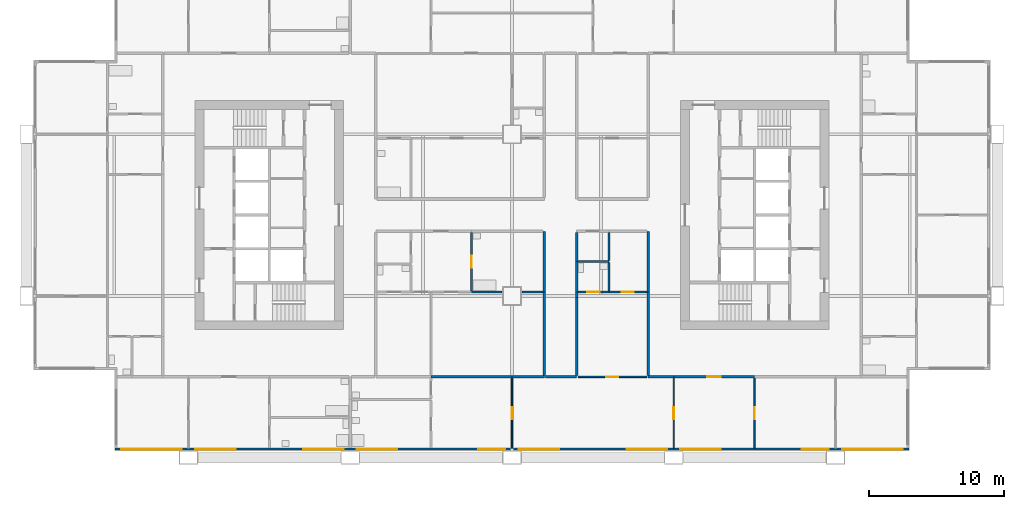
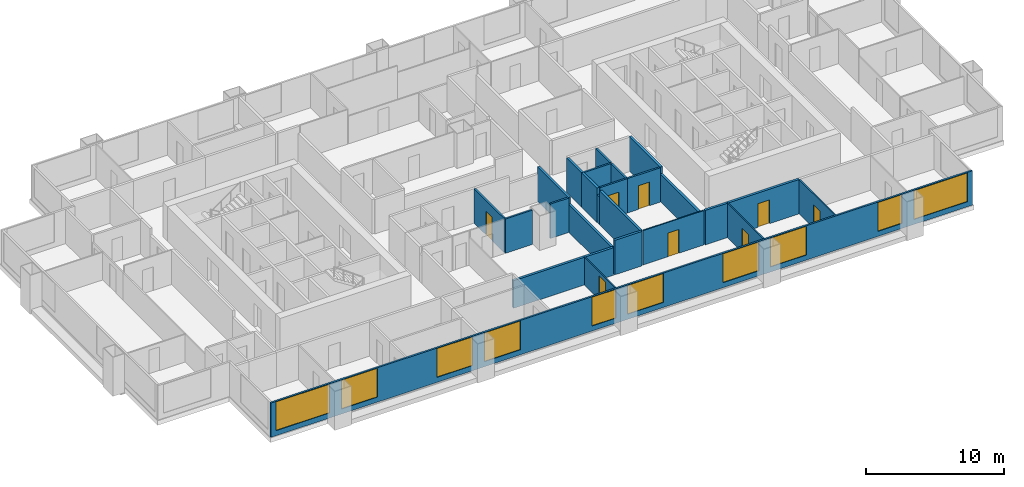
# One storey, part 5 of 11: 26 walls, 10 windows, 8 doors, 18 openings.
"""IFC4 building model written with IfcOpenShell, lengths in metres."""

from ifc_helpers import new_model, si_unit, direction, frame, frame_2d, origin, place, context, subcontext, project, spatial, rectangle, extrude, material, layer, layer_set, type_object, element, fill, save


model = new_model("IFC4")

# Units and contexts
model_context = context("Model", 3, precision=1e-05, world=origin(), true_north=direction((0.0, 1.0)))
body_context = subcontext(model_context, "Body", "Model", "MODEL_VIEW")
ifc_project = project(units=[si_unit("LENGTHUNIT", "METRE"), si_unit("AREAUNIT", "SQUARE_METRE"), si_unit("VOLUMEUNIT", "CUBIC_METRE"), si_unit("PLANEANGLEUNIT", "RADIAN"), si_unit("MASSUNIT", "GRAM", prefix="KILO")], contexts=[model_context])

# Site, building, storey
site_placement = place(None, origin())
site = spatial("IfcSite", under=ifc_project, at=site_placement, CompositionType="ELEMENT")
building_placement = place(site_placement, origin())
building = spatial("IfcBuilding", under=site, at=building_placement, Name="Kitamizu Gate Tower and Museum", CompositionType="ELEMENT")
storey_placement = place(building_placement, frame((0.0, 0.0, 138.0)))
storey = spatial("IfcBuildingStorey", under=building, at=storey_placement, Name="L36", CompositionType="ELEMENT", Elevation=138.0)

# Wall, opening, door
ifc_material_1 = material(Name="Gypsum board on galvanised stud")
ifc_layer_1 = layer(ifc_material_1, 0.10009765625)
ifc_layer_set_1 = layer_set([ifc_layer_1], Name="Gypsum board on galvanised stud")
wall_type_1 = type_object("IfcWallType", Name="Partition 100 NOT RATED", PredefinedType="PARTITIONING", material=ifc_layer_set_1)
wall_1_placement = place(storey_placement, frame((36.0, 12.719970703125, 0.0), z_axis=(0.0, 0.0, 1.0), x_axis=(0.0, 1.0, 0.0)))
wall_1 = element("IfcWall", 1, at=wall_1_placement, inside=storey, type_object=wall_type_1, Name="Partition L36-060", PredefinedType="PARTITIONING", context=body_context, shape_type="SweptSolid", body=[
    extrude(rectangle(XDim=5.179931640625, YDim=0.10009765625, at=frame_2d((2.58984375, 0.0))), origin(), (0.0, 0.0, 1.0), 2.449951171875),
])
opening_1_placement = place(wall_1_placement, frame((2.139892578125, 0.0, 0.0)))
opening_1 = element("IfcOpeningElement", 2, at=opening_1_placement, cuts=wall_1, Name="Opening L36-021", PredefinedType="OPENING", context=body_context, shape_type="SweptSolid", body=[
    extrude(rectangle(XDim=0.89990234375, YDim=2.10009765625, at=frame_2d((0.449951171875, 1.050048828125))), frame((0.0, 0.06005859375, 0.0), z_axis=(0.0, -1.0, 0.0), x_axis=(1.0, 0.0, 0.0)), (0.0, 0.0, 1.0), 0.1201171875),
])
ifc_material_2 = material(Name="Timber door set", Category="wood")
door_type_1 = type_object("IfcDoorType", Name="Room door 900", OperationType="NOTDEFINED", PredefinedType="DOOR", material=ifc_material_2)
door_1_placement = place(opening_1_placement, origin())
door_1 = element("IfcDoor", 3, at=door_1_placement, inside=storey, type_object=door_type_1, Name="Door L36-021", OperationType="SINGLE_SWING_LEFT", OverallHeight=2.10009765625, OverallWidth=0.89990234375, PredefinedType="DOOR", context=body_context, shape_type="SweptSolid", body=[
    extrude(rectangle(XDim=0.89990234375, YDim=2.10009765625, at=frame_2d((0.449951171875, 1.050048828125))), frame((0.0, 0.02490234375, 0.0), z_axis=(0.0, -1.0, 0.0), x_axis=(1.0, 0.0, 0.0)), (0.0, 0.0, 1.0), 0.050048828125),
])
fill(opening_1, door_1)

wall_2_placement = place(storey_placement, frame((48.0, 12.719970703125, 0.0), z_axis=(0.0, 0.0, 1.0), x_axis=(0.0, 1.0, 0.0)))
wall_2 = element("IfcWall", 4, at=wall_2_placement, inside=storey, type_object=wall_type_1, Name="Partition L36-061", PredefinedType="PARTITIONING", context=body_context, shape_type="SweptSolid", body=[
    extrude(rectangle(XDim=5.179931640625, YDim=0.10009765625, at=frame_2d((2.58984375, 0.0))), origin(), (0.0, 0.0, 1.0), 3.050048828125),
])
opening_2_placement = place(wall_2_placement, frame((2.139892578125, 0.0, 0.0)))
opening_2 = element("IfcOpeningElement", 5, at=opening_2_placement, cuts=wall_2, Name="Opening L36-020", PredefinedType="OPENING", context=body_context, shape_type="SweptSolid", body=[
    extrude(rectangle(XDim=0.89990234375, YDim=2.10009765625, at=frame_2d((0.449951171875, 1.050048828125))), frame((0.0, 0.06005859375, 0.0), z_axis=(0.0, -1.0, 0.0), x_axis=(1.0, 0.0, 0.0)), (0.0, 0.0, 1.0), 0.1201171875),
])
door_2_placement = place(opening_2_placement, origin())
door_2 = element("IfcDoor", 6, at=door_2_placement, inside=storey, type_object=door_type_1, Name="Door L36-020", OperationType="SINGLE_SWING_RIGHT", OverallHeight=2.10009765625, OverallWidth=0.89990234375, PredefinedType="DOOR", context=body_context, shape_type="SweptSolid", body=[
    extrude(rectangle(XDim=0.89990234375, YDim=2.10009765625, at=frame_2d((0.449951171875, 1.050048828125))), frame((0.0, 0.02490234375, 0.0), z_axis=(0.0, -1.0, 0.0), x_axis=(1.0, 0.0, 0.0)), (0.0, 0.0, 1.0), 0.050048828125),
])
fill(opening_2, door_2)

wall_3_placement = place(storey_placement, frame((46.0, 18.0, 0.0), z_axis=(0.0, 0.0, 1.0), x_axis=(-1.0, 0.0, 0.0)))
wall_3 = element("IfcWall", 7, at=wall_3_placement, inside=storey, type_object=wall_type_1, Name="Partition L36-062", PredefinedType="PARTITIONING", context=body_context, shape_type="SweptSolid", body=[
    extrude(rectangle(XDim=5.10009765625, YDim=0.10009765625, at=frame_2d((2.550048828125, 0.0))), origin(), (0.0, 0.0, 1.0), 3.050048828125),
])
opening_3_placement = place(wall_3_placement, frame((2.10009765625, 0.0, 0.0)))
opening_3 = element("IfcOpeningElement", 8, at=opening_3_placement, cuts=wall_3, Name="Opening L36-025", PredefinedType="OPENING", context=body_context, shape_type="SweptSolid", body=[
    extrude(rectangle(XDim=0.89990234375, YDim=2.10009765625, at=frame_2d((0.449951171875, 1.050048828125))), frame((0.0, 0.06005859375, 0.0), z_axis=(0.0, -1.0, 0.0), x_axis=(1.0, 0.0, 0.0)), (0.0, 0.0, 1.0), 0.1201171875),
])
door_3_placement = place(opening_3_placement, frame((0.89990234375, 0.0, 0.0), x_axis=(-1.0, 0.0, 0.0)))
door_3 = element("IfcDoor", 9, at=door_3_placement, inside=storey, type_object=door_type_1, Name="Door L36-025", OperationType="SINGLE_SWING_RIGHT", OverallHeight=2.10009765625, OverallWidth=0.89990234375, PredefinedType="DOOR", context=body_context, shape_type="SweptSolid", body=[
    extrude(rectangle(XDim=0.89990234375, YDim=2.10009765625, at=frame_2d((0.449951171875, 1.050048828125))), frame((0.0, 0.02490234375, 0.0), z_axis=(0.0, -1.0, 0.0), x_axis=(1.0, 0.0, 0.0)), (0.0, 0.0, 1.0), 0.050048828125),
])
fill(opening_3, door_3)

wall_4_placement = place(storey_placement, frame((54.0, 12.719970703125, 0.0), z_axis=(0.0, 0.0, 1.0), x_axis=(0.0, 1.0, 0.0)))
wall_4 = element("IfcWall", 10, at=wall_4_placement, inside=storey, type_object=wall_type_1, Name="Partition L36-065", PredefinedType="PARTITIONING", context=body_context, shape_type="SweptSolid", body=[
    extrude(rectangle(XDim=5.179931640625, YDim=0.10009765625, at=frame_2d((2.58984375, 0.0))), origin(), (0.0, 0.0, 1.0), 3.050048828125),
])
opening_4_placement = place(wall_4_placement, frame((2.139892578125, 0.0, 0.0)))
opening_4 = element("IfcOpeningElement", 11, at=opening_4_placement, cuts=wall_4, Name="Opening L36-024", PredefinedType="OPENING", context=body_context, shape_type="SweptSolid", body=[
    extrude(rectangle(XDim=0.89990234375, YDim=2.10009765625, at=frame_2d((0.449951171875, 1.050048828125))), frame((0.0, 0.06005859375, 0.0), z_axis=(0.0, -1.0, 0.0), x_axis=(1.0, 0.0, 0.0)), (0.0, 0.0, 1.0), 0.1201171875),
])
door_4_placement = place(opening_4_placement, frame((0.89990234375, 0.0, 0.0), x_axis=(-1.0, 0.0, 0.0)))
door_4 = element("IfcDoor", 12, at=door_4_placement, inside=storey, type_object=door_type_1, Name="Door L36-024", OperationType="SINGLE_SWING_LEFT", OverallHeight=2.10009765625, OverallWidth=0.89990234375, PredefinedType="DOOR", context=body_context, shape_type="SweptSolid", body=[
    extrude(rectangle(XDim=0.89990234375, YDim=2.10009765625, at=frame_2d((0.449951171875, 1.050048828125))), frame((0.0, 0.02490234375, 0.0), z_axis=(0.0, -1.0, 0.0), x_axis=(1.0, 0.0, 0.0)), (0.0, 0.0, 1.0), 0.050048828125),
])
fill(opening_4, door_4)

# Walls
ifc_material_3 = material(Name="Gypsum board on galvanised stud")
ifc_layer_2 = layer(ifc_material_3, 0.14990234375)
ifc_layer_set_2 = layer_set([ifc_layer_2], Name="Gypsum board on galvanised stud")
wall_type_2 = type_object("IfcWallType", Name="Partition 150", PredefinedType="PARTITIONING", material=ifc_layer_set_2)
wall_5_placement = place(storey_placement, frame((35.25, 24.300048828125, 0.0), z_axis=(0.0, 0.0, 1.0), x_axis=(-1.0, 0.0, 0.0)))
element("IfcWall", 13, at=wall_5_placement, inside=storey, type_object=wall_type_2, Name="Partition L36-040", PredefinedType="PARTITIONING", context=body_context, shape_type="SweptSolid", body=[
    extrude(rectangle(XDim=2.25, YDim=0.14990234375, at=frame_2d((1.125, 0.0))), origin(), (0.0, 0.0, 1.0), 3.050048828125),
])
wall_6_placement = place(storey_placement, frame((38.300048828125, 24.300048828125, 0.0), z_axis=(0.0, 0.0, 1.0), x_axis=(-1.0, 0.0, 0.0)))
element("IfcWall", 14, at=wall_6_placement, inside=storey, type_object=wall_type_2, Name="Partition L36-041", PredefinedType="PARTITIONING", context=body_context, shape_type="SweptSolid", body=[
    extrude(rectangle(XDim=1.550048828125, YDim=0.14990234375, at=frame_2d((0.77490234375, 0.0))), origin(), (0.0, 0.0, 1.0), 3.050048828125),
])

# Wall, opening, door
wall_7_placement = place(storey_placement, frame((33.0, 24.375, 0.0), z_axis=(0.0, 0.0, 1.0), x_axis=(0.0, 1.0, 0.0)))
wall_7 = element("IfcWall", 15, at=wall_7_placement, inside=storey, type_object=wall_type_2, Name="Partition L36-051", PredefinedType="PARTITIONING", context=body_context, shape_type="SweptSolid", body=[
    extrude(rectangle(XDim=4.324951171875, YDim=0.14990234375, at=frame_2d((2.16259765625, 0.0))), origin(), (0.0, 0.0, 1.0), 3.050048828125),
])
opening_5_placement = place(wall_7_placement, frame((1.71240234375, 0.0, 0.0)))
opening_5 = element("IfcOpeningElement", 16, at=opening_5_placement, cuts=wall_7, Name="Opening L36-018", PredefinedType="OPENING", context=body_context, shape_type="SweptSolid", body=[
    extrude(rectangle(XDim=0.89990234375, YDim=2.10009765625, at=frame_2d((0.449951171875, 1.050048828125))), frame((0.0, 0.0849609375, 0.0), z_axis=(0.0, -1.0, 0.0), x_axis=(1.0, 0.0, 0.0)), (0.0, 0.0, 1.0), 0.169921875),
])
ifc_material_4 = material(Name="Timber door set", Category="wood")
door_type_2 = type_object("IfcDoorType", Name="Bathroom door 900", OperationType="NOTDEFINED", PredefinedType="DOOR", material=ifc_material_4)
door_5_placement = place(opening_5_placement, frame((0.89990234375, 0.0, 0.0), x_axis=(-1.0, 0.0, 0.0)))
door_5 = element("IfcDoor", 17, at=door_5_placement, inside=storey, type_object=door_type_2, Name="Bathroom door L36-018", OperationType="SINGLE_SWING_LEFT", OverallHeight=2.10009765625, OverallWidth=0.89990234375, PredefinedType="DOOR", context=body_context, shape_type="SweptSolid", body=[
    extrude(rectangle(XDim=0.89990234375, YDim=2.10009765625, at=frame_2d((0.449951171875, 1.050048828125))), frame((0.0, 0.02490234375, 0.0), z_axis=(0.0, -1.0, 0.0), x_axis=(1.0, 0.0, 0.0)), (0.0, 0.0, 1.0), 0.050048828125),
])
fill(opening_5, door_5)

wall_8_placement = place(storey_placement, frame((43.199951171875, 24.300048828125, 0.0), z_axis=(0.0, 0.0, 1.0), x_axis=(-1.0, 0.0, 0.0)))
wall_8 = element("IfcWall", 18, at=wall_8_placement, inside=storey, type_object=wall_type_2, Name="Partition L36-071", PredefinedType="PARTITIONING", context=body_context, shape_type="SweptSolid", body=[
    extrude(rectangle(XDim=2.300048828125, YDim=0.14990234375, at=frame_2d((1.14990234375, 0.0))), origin(), (0.0, 0.0, 1.0), 3.050048828125),
])
opening_6_placement = place(wall_8_placement, frame((0.699951171875, 0.0, 0.0)))
opening_6 = element("IfcOpeningElement", 19, at=opening_6_placement, cuts=wall_8, Name="Opening L36-027", PredefinedType="OPENING", context=body_context, shape_type="SweptSolid", body=[
    extrude(rectangle(XDim=0.89990234375, YDim=2.10009765625, at=frame_2d((0.449951171875, 1.050048828125))), frame((0.0, 0.0849609375, 0.0), z_axis=(0.0, -1.0, 0.0), x_axis=(1.0, 0.0, 0.0)), (0.0, 0.0, 1.0), 0.169921875),
])
door_6_placement = place(opening_6_placement, frame((0.89990234375, 0.0, 0.0), x_axis=(-1.0, 0.0, 0.0)))
door_6 = element("IfcDoor", 20, at=door_6_placement, inside=storey, type_object=door_type_2, Name="Bathroom door L36-027", OperationType="SINGLE_SWING_RIGHT", OverallHeight=2.10009765625, OverallWidth=0.89990234375, PredefinedType="DOOR", context=body_context, shape_type="SweptSolid", body=[
    extrude(rectangle(XDim=0.89990234375, YDim=2.10009765625, at=frame_2d((0.449951171875, 1.050048828125))), frame((0.0, 0.02490234375, 0.0), z_axis=(0.0, -1.0, 0.0), x_axis=(1.0, 0.0, 0.0)), (0.0, 0.0, 1.0), 0.050048828125),
])
fill(opening_6, door_6)

wall_9_placement = place(storey_placement, frame((46.0, 24.300048828125, 0.0), z_axis=(0.0, 0.0, 1.0), x_axis=(-1.0, 0.0, 0.0)))
wall_9 = element("IfcWall", 21, at=wall_9_placement, inside=storey, type_object=wall_type_2, Name="Partition L36-072", PredefinedType="PARTITIONING", context=body_context, shape_type="SweptSolid", body=[
    extrude(rectangle(XDim=2.800048828125, YDim=0.14990234375, at=frame_2d((1.39990234375, 0.0))), origin(), (0.0, 0.0, 1.0), 3.050048828125),
])
opening_7_placement = place(wall_9_placement, frame((0.949951171875, 0.0, 0.0)))
opening_7 = element("IfcOpeningElement", 22, at=opening_7_placement, cuts=wall_9, Name="Opening L36-028", PredefinedType="OPENING", context=body_context, shape_type="SweptSolid", body=[
    extrude(rectangle(XDim=0.89990234375, YDim=2.10009765625, at=frame_2d((0.449951171875, 1.050048828125))), frame((0.0, 0.0849609375, 0.0), z_axis=(0.0, -1.0, 0.0), x_axis=(1.0, 0.0, 0.0)), (0.0, 0.0, 1.0), 0.169921875),
])
door_7_placement = place(opening_7_placement, frame((0.89990234375, 0.0, 0.0), x_axis=(-1.0, 0.0, 0.0)))
door_7 = element("IfcDoor", 23, at=door_7_placement, inside=storey, type_object=door_type_2, Name="Bathroom door L36-028", OperationType="SINGLE_SWING_LEFT", OverallHeight=2.10009765625, OverallWidth=0.89990234375, PredefinedType="DOOR", context=body_context, shape_type="SweptSolid", body=[
    extrude(rectangle(XDim=0.89990234375, YDim=2.10009765625, at=frame_2d((0.449951171875, 1.050048828125))), frame((0.0, 0.02490234375, 0.0), z_axis=(0.0, -1.0, 0.0), x_axis=(1.0, 0.0, 0.0)), (0.0, 0.0, 1.0), 0.050048828125),
])
fill(opening_7, door_7)

# Walls
wall_10_placement = place(storey_placement, frame((43.199951171875, 26.550048828125, 0.0), z_axis=(0.0, 0.0, 1.0), x_axis=(-1.0, 0.0, 0.0)))
element("IfcWall", 24, at=wall_10_placement, inside=storey, type_object=wall_type_2, Name="Partition L36-076", PredefinedType="PARTITIONING", context=body_context, shape_type="SweptSolid", body=[
    extrude(rectangle(XDim=2.300048828125, YDim=0.14990234375, at=frame_2d((1.14990234375, 0.0))), origin(), (0.0, 0.0, 1.0), 3.050048828125),
])
wall_11_placement = place(storey_placement, frame((43.199951171875, 24.375, 0.0), z_axis=(0.0, 0.0, 1.0), x_axis=(0.0, 1.0, 0.0)))
element("IfcWall", 25, at=wall_11_placement, inside=storey, type_object=wall_type_2, Name="Partition L36-077", PredefinedType="PARTITIONING", context=body_context, shape_type="SweptSolid", body=[
    extrude(rectangle(XDim=2.10009765625, YDim=0.14990234375, at=frame_2d((1.050048828125, 0.0))), origin(), (0.0, 0.0, 1.0), 3.050048828125),
])
wall_12_placement = place(storey_placement, frame((43.199951171875, 26.625, 0.0), z_axis=(0.0, 0.0, 1.0), x_axis=(0.0, 1.0, 0.0)))
element("IfcWall", 26, at=wall_12_placement, inside=storey, type_object=wall_type_2, Name="Partition L36-079", PredefinedType="PARTITIONING", context=body_context, shape_type="SweptSolid", body=[
    extrude(rectangle(XDim=2.074951171875, YDim=0.14990234375, at=frame_2d((1.03759765625, 0.0))), origin(), (0.0, 0.0, 1.0), 3.050048828125),
])
ifc_material_5 = material(Name="Gypsum board on galvanised stud")
ifc_layer_3 = layer(ifc_material_5, 0.199951171875)
ifc_layer_set_3 = layer_set([ifc_layer_3], Name="Gypsum board on galvanised stud")
wall_type_3 = type_object("IfcWallType", Name="Partition 200", PredefinedType="PARTITIONING", material=ifc_layer_set_3)
wall_13_placement = place(storey_placement, frame((30.0, 18.0, 0.0), z_axis=(0.0, 0.0, 1.0), x_axis=(1.0, 0.0, 0.0)))
element("IfcWall", 27, at=wall_13_placement, inside=storey, type_object=wall_type_3, Name="Partition L36-042", PredefinedType="PARTITIONING", context=body_context, shape_type="SweptSolid", body=[
    extrude(rectangle(XDim=6.0, YDim=0.199951171875, at=frame_2d((3.0, 0.0))), origin(), (0.0, 0.0, 1.0), 2.449951171875),
])
wall_14_placement = place(storey_placement, frame((36.0, 18.0, 0.0), z_axis=(0.0, 0.0, 1.0), x_axis=(1.0, 0.0, 0.0)))
element("IfcWall", 28, at=wall_14_placement, inside=storey, type_object=wall_type_3, Name="Partition L36-043", PredefinedType="PARTITIONING", context=body_context, shape_type="SweptSolid", body=[
    extrude(rectangle(XDim=2.39990234375, YDim=0.199951171875, at=frame_2d((1.199951171875, 0.0))), origin(), (0.0, 0.0, 1.0), 2.449951171875),
])
wall_15_placement = place(storey_placement, frame((38.39990234375, 18.10009765625, 0.0), z_axis=(0.0, 0.0, 1.0), x_axis=(0.0, 1.0, 0.0)))
element("IfcWall", 29, at=wall_15_placement, inside=storey, type_object=wall_type_3, Name="Partition L36-044", PredefinedType="PARTITIONING", context=body_context, shape_type="SweptSolid", body=[
    extrude(rectangle(XDim=6.199951171875, YDim=0.199951171875, at=frame_2d((3.10009765625, 0.0))), origin(), (0.0, 0.0, 1.0), 2.449951171875),
])
wall_16_placement = place(storey_placement, frame((38.39990234375, 24.300048828125, 0.0), z_axis=(0.0, 0.0, 1.0), x_axis=(0.0, 1.0, 0.0)))
element("IfcWall", 30, at=wall_16_placement, inside=storey, type_object=wall_type_3, Name="Partition L36-053", PredefinedType="PARTITIONING", context=body_context, shape_type="SweptSolid", body=[
    extrude(rectangle(XDim=4.5, YDim=0.199951171875, at=frame_2d((2.25, 0.0))), origin(), (0.0, 0.0, 1.0), 3.050048828125),
])
wall_17_placement = place(storey_placement, frame((40.800048828125, 18.0, 0.0), z_axis=(0.0, 0.0, 1.0), x_axis=(-1.0, 0.0, 0.0)))
element("IfcWall", 31, at=wall_17_placement, inside=storey, type_object=wall_type_3, Name="Partition L36-063", PredefinedType="PARTITIONING", context=body_context, shape_type="SweptSolid", body=[
    extrude(rectangle(XDim=2.300048828125, YDim=0.199951171875, at=frame_2d((1.14990234375, 0.0))), origin(), (0.0, 0.0, 1.0), 3.050048828125),
])
wall_18_placement = place(storey_placement, frame((48.0, 18.0, 0.0), z_axis=(0.0, 0.0, 1.0), x_axis=(-1.0, 0.0, 0.0)))
element("IfcWall", 32, at=wall_18_placement, inside=storey, type_object=wall_type_3, Name="Partition L36-064", PredefinedType="PARTITIONING", context=body_context, shape_type="SweptSolid", body=[
    extrude(rectangle(XDim=1.89990234375, YDim=0.199951171875, at=frame_2d((0.949951171875, 0.0))), origin(), (0.0, 0.0, 1.0), 3.050048828125),
])

# Wall, opening, door
wall_19_placement = place(storey_placement, frame((54.0, 18.0, 0.0), z_axis=(0.0, 0.0, 1.0), x_axis=(-1.0, 0.0, 0.0)))
wall_19 = element("IfcWall", 33, at=wall_19_placement, inside=storey, type_object=wall_type_3, Name="Partition L36-066", PredefinedType="PARTITIONING", context=body_context, shape_type="SweptSolid", body=[
    extrude(rectangle(XDim=6.0, YDim=0.199951171875, at=frame_2d((3.0, 0.0))), origin(), (0.0, 0.0, 1.0), 3.050048828125),
])
opening_8_placement = place(wall_19_placement, frame((2.5, 0.0, 0.0)))
opening_8 = element("IfcOpeningElement", 34, at=opening_8_placement, cuts=wall_19, Name="Opening L36-019", PredefinedType="OPENING", context=body_context, shape_type="SweptSolid", body=[
    extrude(rectangle(XDim=1.0, YDim=2.10009765625, at=frame_2d((0.5, 1.050048828125))), frame((0.0, 0.10986328125, 0.0), z_axis=(0.0, -1.0, 0.0), x_axis=(1.0, 0.0, 0.0)), (0.0, 0.0, 1.0), 0.219970703125),
])
ifc_material_6 = material(Name="Timber door set", Category="wood")
door_type_3 = type_object("IfcDoorType", Name="Flat entrance door 1000", OperationType="NOTDEFINED", PredefinedType="DOOR", material=ifc_material_6)
door_8_placement = place(opening_8_placement, origin())
door_8 = element("IfcDoor", 35, at=door_8_placement, inside=storey, type_object=door_type_3, Name="Flat entrance door L36-019", OperationType="SINGLE_SWING_LEFT", OverallHeight=2.10009765625, OverallWidth=1.0, PredefinedType="DOOR", context=body_context, shape_type="SweptSolid", body=[
    extrude(rectangle(XDim=1.0, YDim=2.10009765625, at=frame_2d((0.5, 1.050048828125))), frame((0.0, 0.02490234375, 0.0), z_axis=(0.0, -1.0, 0.0), x_axis=(1.0, 0.0, 0.0)), (0.0, 0.0, 1.0), 0.050048828125),
])
fill(opening_8, door_8)

# Walls
wall_20_placement = place(storey_placement, frame((40.800048828125, 24.300048828125, 0.0), z_axis=(0.0, 0.0, 1.0), x_axis=(0.0, -1.0, 0.0)))
element("IfcWall", 36, at=wall_20_placement, inside=storey, type_object=wall_type_3, Name="Partition L36-073", PredefinedType="PARTITIONING", context=body_context, shape_type="SweptSolid", body=[
    extrude(rectangle(XDim=0.400146484375, YDim=0.199951171875, at=frame_2d((0.2001953125, 0.0))), origin(), (0.0, 0.0, 1.0), 2.449951171875),
])
wall_21_placement = place(storey_placement, frame((40.800048828125, 23.89990234375, 0.0), z_axis=(0.0, 0.0, 1.0), x_axis=(0.0, -1.0, 0.0)))
element("IfcWall", 37, at=wall_21_placement, inside=storey, type_object=wall_type_3, Name="Partition L36-074", PredefinedType="PARTITIONING", context=body_context, shape_type="SweptSolid", body=[
    extrude(rectangle(XDim=5.7998046875, YDim=0.199951171875, at=frame_2d((2.89990234375, 0.0))), origin(), (0.0, 0.0, 1.0), 3.050048828125),
])
wall_22_placement = place(storey_placement, frame((46.10009765625, 18.10009765625, 0.0), z_axis=(0.0, 0.0, 1.0), x_axis=(0.0, 1.0, 0.0)))
element("IfcWall", 38, at=wall_22_placement, inside=storey, type_object=wall_type_3, Name="Partition L36-075", PredefinedType="PARTITIONING", context=body_context, shape_type="SweptSolid", body=[
    extrude(rectangle(XDim=6.199951171875, YDim=0.199951171875, at=frame_2d((3.10009765625, 0.0))), origin(), (0.0, 0.0, 1.0), 2.449951171875),
])
wall_23_placement = place(storey_placement, frame((40.800048828125, 26.550048828125, 0.0), z_axis=(0.0, 0.0, 1.0), x_axis=(0.0, -1.0, 0.0)))
element("IfcWall", 39, at=wall_23_placement, inside=storey, type_object=wall_type_3, Name="Partition L36-078", PredefinedType="PARTITIONING", context=body_context, shape_type="SweptSolid", body=[
    extrude(rectangle(XDim=2.25, YDim=0.199951171875, at=frame_2d((1.125, 0.0))), origin(), (0.0, 0.0, 1.0), 3.050048828125),
])
wall_24_placement = place(storey_placement, frame((40.800048828125, 28.699951171875, 0.0), z_axis=(0.0, 0.0, 1.0), x_axis=(0.0, -1.0, 0.0)))
element("IfcWall", 40, at=wall_24_placement, inside=storey, type_object=wall_type_3, Name="Partition L36-081", PredefinedType="PARTITIONING", context=body_context, shape_type="SweptSolid", body=[
    extrude(rectangle(XDim=2.14990234375, YDim=0.199951171875, at=frame_2d((1.074951171875, 0.0))), origin(), (0.0, 0.0, 1.0), 3.050048828125),
])
wall_25_placement = place(storey_placement, frame((46.10009765625, 24.300048828125, 0.0), z_axis=(0.0, 0.0, 1.0), x_axis=(0.0, 1.0, 0.0)))
element("IfcWall", 41, at=wall_25_placement, inside=storey, type_object=wall_type_3, Name="Partition L36-082", PredefinedType="PARTITIONING", context=body_context, shape_type="SweptSolid", body=[
    extrude(rectangle(XDim=4.5, YDim=0.199951171875, at=frame_2d((2.25, 0.0))), origin(), (0.0, 0.0, 1.0), 3.050048828125),
])

# Wall, openings, windows
ifc_material_7 = material(Name="Bronze anodised aluminium frame with insulated spandrel and tinted glass", Category="aluminium")
ifc_layer_4 = layer(ifc_material_7, 0.14990234375)
ifc_layer_set_4 = layer_set([ifc_layer_4], Name="Bronze anodised aluminium frame with insulated spandrel and tinted glass")
wall_type_4 = type_object("IfcWallType", Name="WINDOW WALL 150 BRONZE FRAME EI 30", PredefinedType="ELEMENTEDWALL", material=ifc_layer_set_4)
wall_26_placement = place(storey_placement, frame((6.56005859375, 12.635009765625, 0.0), z_axis=(0.0, 0.0, 1.0), x_axis=(1.0, 0.0, 0.0)))
wall_26 = element("IfcWall", 42, at=wall_26_placement, inside=storey, type_object=wall_type_4, Name="Window wall south L36", PredefinedType="ELEMENTEDWALL", context=body_context, shape_type="SweptSolid", body=[
    extrude(rectangle(XDim=58.8798828125, YDim=0.14990234375, at=frame_2d((29.43994140625, 0.0))), origin(), (0.0, 0.0, 1.0), 3.050048828125),
])
opening_9_placement = place(wall_26_placement, frame((0.43994140625, 0.0, 0.449951171875)))
opening_9 = element("IfcOpeningElement", 43, at=opening_9_placement, cuts=wall_26, Name="Opening W15", PredefinedType="OPENING", context=body_context, shape_type="SweptSolid", body=[
    extrude(rectangle(XDim=4.5, YDim=2.550048828125, at=frame_2d((2.25, 1.27490234375))), frame((0.0, 0.0849609375, 0.0), z_axis=(0.0, -1.0, 0.0), x_axis=(1.0, 0.0, 0.0)), (0.0, 0.0, 1.0), 0.169921875),
])
opening_10_placement = place(wall_26_placement, frame((5.93994140625, 0.0, 0.449951171875)))
opening_10 = element("IfcOpeningElement", 44, at=opening_10_placement, cuts=wall_26, Name="Opening W33", PredefinedType="OPENING", context=body_context, shape_type="SweptSolid", body=[
    extrude(rectangle(XDim=3.0, YDim=2.550048828125, at=frame_2d((1.5, 1.27490234375))), frame((0.0, 0.0849609375, 0.0), z_axis=(0.0, -1.0, 0.0), x_axis=(1.0, 0.0, 0.0)), (0.0, 0.0, 1.0), 0.169921875),
])
opening_11_placement = place(wall_26_placement, frame((13.93994140625, 0.0, 0.449951171875)))
opening_11 = element("IfcOpeningElement", 45, at=opening_11_placement, cuts=wall_26, Name="Opening W33", PredefinedType="OPENING", context=body_context, shape_type="SweptSolid", body=[
    extrude(rectangle(XDim=3.0, YDim=2.550048828125, at=frame_2d((1.5, 1.27490234375))), frame((0.0, 0.0849609375, 0.0), z_axis=(0.0, -1.0, 0.0), x_axis=(1.0, 0.0, 0.0)), (0.0, 0.0, 1.0), 0.169921875),
])
opening_12_placement = place(wall_26_placement, frame((17.93994140625, 0.0, 0.449951171875)))
opening_12 = element("IfcOpeningElement", 46, at=opening_12_placement, cuts=wall_26, Name="Opening W33", PredefinedType="OPENING", context=body_context, shape_type="SweptSolid", body=[
    extrude(rectangle(XDim=3.0, YDim=2.550048828125, at=frame_2d((1.5, 1.27490234375))), frame((0.0, 0.0849609375, 0.0), z_axis=(0.0, -1.0, 0.0), x_axis=(1.0, 0.0, 0.0)), (0.0, 0.0, 1.0), 0.169921875),
])
opening_13_placement = place(wall_26_placement, frame((26.93994140625, 0.0, 0.449951171875)))
opening_13 = element("IfcOpeningElement", 47, at=opening_13_placement, cuts=wall_26, Name="Opening W2", PredefinedType="OPENING", context=body_context, shape_type="SweptSolid", body=[
    extrude(rectangle(XDim=2.0, YDim=2.550048828125, at=frame_2d((1.0, 1.27490234375))), frame((0.0, 0.0849609375, 0.0), z_axis=(0.0, -1.0, 0.0), x_axis=(1.0, 0.0, 0.0)), (0.0, 0.0, 1.0), 0.169921875),
])
opening_14_placement = place(wall_26_placement, frame((29.93994140625, 0.0, 0.449951171875)))
opening_14 = element("IfcOpeningElement", 48, at=opening_14_placement, cuts=wall_26, Name="Opening W33", PredefinedType="OPENING", context=body_context, shape_type="SweptSolid", body=[
    extrude(rectangle(XDim=3.0, YDim=2.550048828125, at=frame_2d((1.5, 1.27490234375))), frame((0.0, 0.0849609375, 0.0), z_axis=(0.0, -1.0, 0.0), x_axis=(1.0, 0.0, 0.0)), (0.0, 0.0, 1.0), 0.169921875),
])
opening_15_placement = place(wall_26_placement, frame((37.93994140625, 0.0, 0.449951171875)))
opening_15 = element("IfcOpeningElement", 49, at=opening_15_placement, cuts=wall_26, Name="Opening W33", PredefinedType="OPENING", context=body_context, shape_type="SweptSolid", body=[
    extrude(rectangle(XDim=3.0, YDim=2.550048828125, at=frame_2d((1.5, 1.27490234375))), frame((0.0, 0.0849609375, 0.0), z_axis=(0.0, -1.0, 0.0), x_axis=(1.0, 0.0, 0.0)), (0.0, 0.0, 1.0), 0.169921875),
])
opening_16_placement = place(wall_26_placement, frame((41.93994140625, 0.0, 0.449951171875)))
opening_16 = element("IfcOpeningElement", 50, at=opening_16_placement, cuts=wall_26, Name="Opening W33", PredefinedType="OPENING", context=body_context, shape_type="SweptSolid", body=[
    extrude(rectangle(XDim=3.0, YDim=2.550048828125, at=frame_2d((1.5, 1.27490234375))), frame((0.0, 0.0849609375, 0.0), z_axis=(0.0, -1.0, 0.0), x_axis=(1.0, 0.0, 0.0)), (0.0, 0.0, 1.0), 0.169921875),
])
opening_17_placement = place(wall_26_placement, frame((50.93994140625, 0.0, 0.449951171875)))
opening_17 = element("IfcOpeningElement", 51, at=opening_17_placement, cuts=wall_26, Name="Opening W2", PredefinedType="OPENING", context=body_context, shape_type="SweptSolid", body=[
    extrude(rectangle(XDim=2.0, YDim=2.550048828125, at=frame_2d((1.0, 1.27490234375))), frame((0.0, 0.0849609375, 0.0), z_axis=(0.0, -1.0, 0.0), x_axis=(1.0, 0.0, 0.0)), (0.0, 0.0, 1.0), 0.169921875),
])
opening_18_placement = place(wall_26_placement, frame((53.93994140625, 0.0, 0.449951171875)))
opening_18 = element("IfcOpeningElement", 52, at=opening_18_placement, cuts=wall_26, Name="Opening W15", PredefinedType="OPENING", context=body_context, shape_type="SweptSolid", body=[
    extrude(rectangle(XDim=4.5, YDim=2.550048828125, at=frame_2d((2.25, 1.27490234375))), frame((0.0, 0.0849609375, 0.0), z_axis=(0.0, -1.0, 0.0), x_axis=(1.0, 0.0, 0.0)), (0.0, 0.0, 1.0), 0.169921875),
])
ifc_material_8 = material(Name="Bronze anodised aluminium frame, tinted triple glazing", Category="aluminium")
window_type_1 = type_object("IfcWindowType", Name="WINDOW 2000 x 2550 SILL 450", PartitioningType="SINGLE_PANEL", PredefinedType="WINDOW", material=ifc_material_8)
window_1_placement = place(opening_13_placement, origin())
window_1 = element("IfcWindow", 53, at=window_1_placement, inside=storey, type_object=window_type_1, Name="Window W2 L36", OverallHeight=2.550048828125, OverallWidth=2.0, PartitioningType="SINGLE_PANEL", PredefinedType="WINDOW", context=body_context, shape_type="SweptSolid", body=[
    extrude(rectangle(XDim=2.0, YDim=2.550048828125, at=frame_2d((1.0, 1.27490234375))), frame((0.0, 0.030029296875, 0.0), z_axis=(0.0, -1.0, 0.0), x_axis=(1.0, 0.0, 0.0)), (0.0, 0.0, 1.0), 0.06005859375),
])
fill(opening_13, window_1)
window_2_placement = place(opening_17_placement, origin())
window_2 = element("IfcWindow", 54, at=window_2_placement, inside=storey, type_object=window_type_1, Name="Window W2 L36", OverallHeight=2.550048828125, OverallWidth=2.0, PartitioningType="SINGLE_PANEL", PredefinedType="WINDOW", context=body_context, shape_type="SweptSolid", body=[
    extrude(rectangle(XDim=2.0, YDim=2.550048828125, at=frame_2d((1.0, 1.27490234375))), frame((0.0, 0.030029296875, 0.0), z_axis=(0.0, -1.0, 0.0), x_axis=(1.0, 0.0, 0.0)), (0.0, 0.0, 1.0), 0.06005859375),
])
fill(opening_17, window_2)
ifc_material_9 = material(Name="Bronze anodised aluminium frame, tinted triple glazing", Category="aluminium")
window_type_2 = type_object("IfcWindowType", Name="WINDOW 3000 x 2550 SILL 450", PartitioningType="SINGLE_PANEL", PredefinedType="WINDOW", material=ifc_material_9)
window_3_placement = place(opening_10_placement, origin())
window_3 = element("IfcWindow", 55, at=window_3_placement, inside=storey, type_object=window_type_2, Name="Window W33 L36", OverallHeight=2.550048828125, OverallWidth=3.0, PartitioningType="SINGLE_PANEL", PredefinedType="WINDOW", context=body_context, shape_type="SweptSolid", body=[
    extrude(rectangle(XDim=3.0, YDim=2.550048828125, at=frame_2d((1.5, 1.27490234375))), frame((0.0, 0.030029296875, 0.0), z_axis=(0.0, -1.0, 0.0), x_axis=(1.0, 0.0, 0.0)), (0.0, 0.0, 1.0), 0.06005859375),
])
fill(opening_10, window_3)
window_4_placement = place(opening_11_placement, origin())
window_4 = element("IfcWindow", 56, at=window_4_placement, inside=storey, type_object=window_type_2, Name="Window W33 L36", OverallHeight=2.550048828125, OverallWidth=3.0, PartitioningType="SINGLE_PANEL", PredefinedType="WINDOW", context=body_context, shape_type="SweptSolid", body=[
    extrude(rectangle(XDim=3.0, YDim=2.550048828125, at=frame_2d((1.5, 1.27490234375))), frame((0.0, 0.030029296875, 0.0), z_axis=(0.0, -1.0, 0.0), x_axis=(1.0, 0.0, 0.0)), (0.0, 0.0, 1.0), 0.06005859375),
])
fill(opening_11, window_4)
window_5_placement = place(opening_12_placement, origin())
window_5 = element("IfcWindow", 57, at=window_5_placement, inside=storey, type_object=window_type_2, Name="Window W33 L36", OverallHeight=2.550048828125, OverallWidth=3.0, PartitioningType="SINGLE_PANEL", PredefinedType="WINDOW", context=body_context, shape_type="SweptSolid", body=[
    extrude(rectangle(XDim=3.0, YDim=2.550048828125, at=frame_2d((1.5, 1.27490234375))), frame((0.0, 0.030029296875, 0.0), z_axis=(0.0, -1.0, 0.0), x_axis=(1.0, 0.0, 0.0)), (0.0, 0.0, 1.0), 0.06005859375),
])
fill(opening_12, window_5)
window_6_placement = place(opening_14_placement, origin())
window_6 = element("IfcWindow", 58, at=window_6_placement, inside=storey, type_object=window_type_2, Name="Window W33 L36", OverallHeight=2.550048828125, OverallWidth=3.0, PartitioningType="SINGLE_PANEL", PredefinedType="WINDOW", context=body_context, shape_type="SweptSolid", body=[
    extrude(rectangle(XDim=3.0, YDim=2.550048828125, at=frame_2d((1.5, 1.27490234375))), frame((0.0, 0.030029296875, 0.0), z_axis=(0.0, -1.0, 0.0), x_axis=(1.0, 0.0, 0.0)), (0.0, 0.0, 1.0), 0.06005859375),
])
fill(opening_14, window_6)
window_7_placement = place(opening_15_placement, origin())
window_7 = element("IfcWindow", 59, at=window_7_placement, inside=storey, type_object=window_type_2, Name="Window W33 L36", OverallHeight=2.550048828125, OverallWidth=3.0, PartitioningType="SINGLE_PANEL", PredefinedType="WINDOW", context=body_context, shape_type="SweptSolid", body=[
    extrude(rectangle(XDim=3.0, YDim=2.550048828125, at=frame_2d((1.5, 1.27490234375))), frame((0.0, 0.030029296875, 0.0), z_axis=(0.0, -1.0, 0.0), x_axis=(1.0, 0.0, 0.0)), (0.0, 0.0, 1.0), 0.06005859375),
])
fill(opening_15, window_7)
window_8_placement = place(opening_16_placement, origin())
window_8 = element("IfcWindow", 60, at=window_8_placement, inside=storey, type_object=window_type_2, Name="Window W33 L36", OverallHeight=2.550048828125, OverallWidth=3.0, PartitioningType="SINGLE_PANEL", PredefinedType="WINDOW", context=body_context, shape_type="SweptSolid", body=[
    extrude(rectangle(XDim=3.0, YDim=2.550048828125, at=frame_2d((1.5, 1.27490234375))), frame((0.0, 0.030029296875, 0.0), z_axis=(0.0, -1.0, 0.0), x_axis=(1.0, 0.0, 0.0)), (0.0, 0.0, 1.0), 0.06005859375),
])
fill(opening_16, window_8)
ifc_material_10 = material(Name="Bronze anodised aluminium frame, tinted triple glazing", Category="aluminium")
window_type_3 = type_object("IfcWindowType", Name="WINDOW 4500 x 2550 SILL 450", PartitioningType="SINGLE_PANEL", PredefinedType="WINDOW", material=ifc_material_10)
window_9_placement = place(opening_9_placement, origin())
window_9 = element("IfcWindow", 61, at=window_9_placement, inside=storey, type_object=window_type_3, Name="Window W15 L36", OverallHeight=2.550048828125, OverallWidth=4.5, PartitioningType="SINGLE_PANEL", PredefinedType="WINDOW", context=body_context, shape_type="SweptSolid", body=[
    extrude(rectangle(XDim=4.5, YDim=2.550048828125, at=frame_2d((2.25, 1.27490234375))), frame((0.0, 0.030029296875, 0.0), z_axis=(0.0, -1.0, 0.0), x_axis=(1.0, 0.0, 0.0)), (0.0, 0.0, 1.0), 0.06005859375),
])
fill(opening_9, window_9)
window_10_placement = place(opening_18_placement, origin())
window_10 = element("IfcWindow", 62, at=window_10_placement, inside=storey, type_object=window_type_3, Name="Window W15 L36", OverallHeight=2.550048828125, OverallWidth=4.5, PartitioningType="SINGLE_PANEL", PredefinedType="WINDOW", context=body_context, shape_type="SweptSolid", body=[
    extrude(rectangle(XDim=4.5, YDim=2.550048828125, at=frame_2d((2.25, 1.27490234375))), frame((0.0, 0.030029296875, 0.0), z_axis=(0.0, -1.0, 0.0), x_axis=(1.0, 0.0, 0.0)), (0.0, 0.0, 1.0), 0.06005859375),
])
fill(opening_18, window_10)

save(model, "model.ifc")
